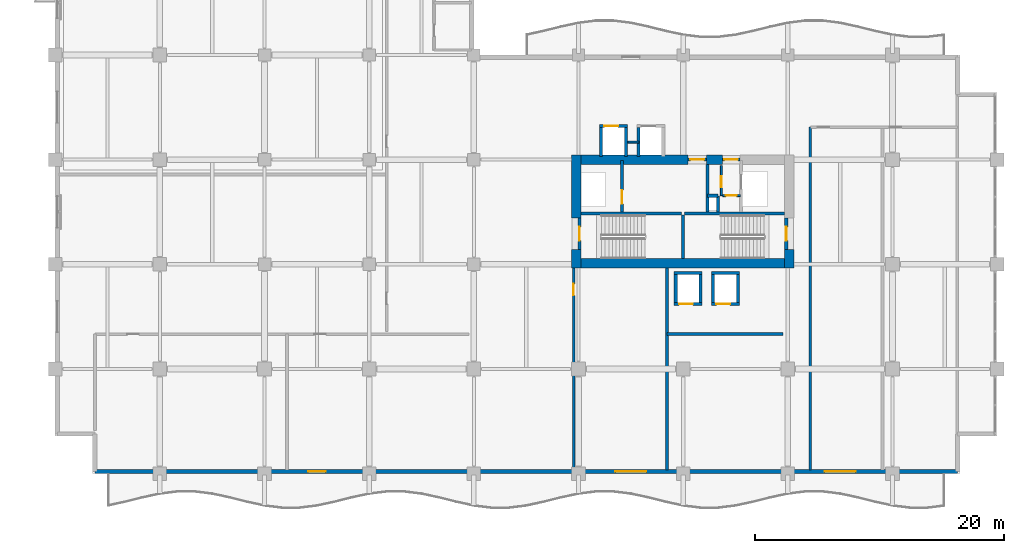
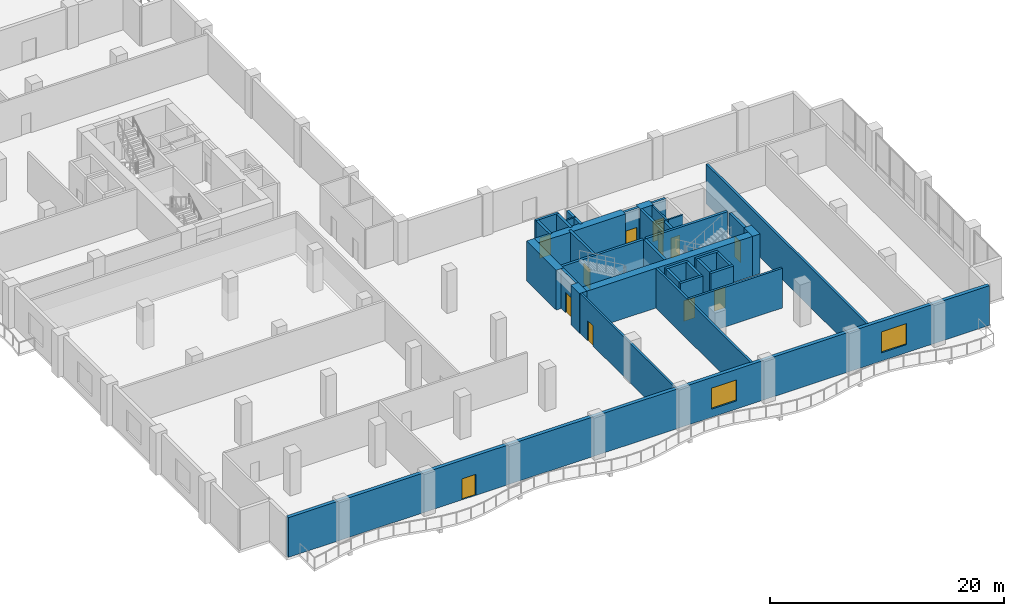
# One storey, part 10 of 22: 37 walls, 12 doors, 2 windows, 14 openings.
"""IFC4 building model written with IfcOpenShell, lengths in metres."""

from ifc_helpers import new_model, si_unit, direction, frame, frame_2d, origin, place, context, subcontext, project, spatial, rectangle, extrude, material, layer, layer_set, type_object, element, fill, save


model = new_model("IFC4")

# Units and contexts
model_context = context("Model", 3, precision=1e-05, world=origin(), true_north=direction((0.0, 1.0)))
body_context = subcontext(model_context, "Body", "Model", "MODEL_VIEW")
ifc_project = project(units=[si_unit("LENGTHUNIT", "METRE"), si_unit("AREAUNIT", "SQUARE_METRE"), si_unit("VOLUMEUNIT", "CUBIC_METRE"), si_unit("PLANEANGLEUNIT", "RADIAN"), si_unit("MASSUNIT", "GRAM", prefix="KILO")], contexts=[model_context])

# Site, building, storey
site_placement = place(None, origin())
site = spatial("IfcSite", under=ifc_project, at=site_placement, CompositionType="ELEMENT")
building_placement = place(site_placement, origin())
building = spatial("IfcBuilding", under=site, at=building_placement, Name="Koriwani Terraces Tower", CompositionType="ELEMENT")
storey_placement = place(building_placement, frame((0.0, 0.0, 153.199951171875)))
storey = spatial("IfcBuildingStorey", under=building, at=storey_placement, Name="L37", CompositionType="ELEMENT", Elevation=153.199951171875)

# Walls
ifc_material_1 = material(Name="Concrete C60/75", Category="concrete")
ifc_layer_1 = layer(ifc_material_1, 0.75, Name="Concrete C60/75")
ifc_layer_set_1 = layer_set([ifc_layer_1], Name="Concrete C60/75")
wall_type_1 = type_object("IfcWallType", Name="WALL_CORE_RC_750", PredefinedType="SHEAR", material=ifc_layer_set_1)
wall_1_placement = place(storey_placement, frame((41.824951171875, 16.5, 0.0), z_axis=(0.0, 0.0, 1.0), x_axis=(0.0, 1.0, 0.0)))
element("IfcWall", 1, at=wall_1_placement, inside=storey, type_object=wall_type_1, Name="L37 East Split Core Shear Wall W1", PredefinedType="SHEAR", context=body_context, shape_type="SweptSolid", body=[
    extrude(rectangle(XDim=1.5, YDim=0.75, at=frame_2d((0.75, 0.0))), origin(), (0.0, 0.0, 1.0), 4.150146484375),
])
wall_2_placement = place(storey_placement, frame((41.824951171875, 20.5, 0.0), z_axis=(0.0, 0.0, 1.0), x_axis=(0.0, 1.0, 0.0)))
element("IfcWall", 2, at=wall_2_placement, inside=storey, type_object=wall_type_1, Name="L37 East Split Core Shear Wall W2", PredefinedType="SHEAR", context=body_context, shape_type="SweptSolid", body=[
    extrude(rectangle(XDim=5.074951171875, YDim=0.75, at=frame_2d((2.53759765625, 0.0))), origin(), (0.0, 0.0, 1.0), 4.150146484375),
])
wall_3_placement = place(storey_placement, frame((58.925048828125, 16.5, 0.0), z_axis=(0.0, 0.0, 1.0), x_axis=(0.0, 1.0, 0.0)))
element("IfcWall", 3, at=wall_3_placement, inside=storey, type_object=wall_type_1, Name="L37 East Split Core Shear Wall E1", PredefinedType="SHEAR", context=body_context, shape_type="SweptSolid", body=[
    extrude(rectangle(XDim=1.5, YDim=0.75, at=frame_2d((0.75, 0.0))), origin(), (0.0, 0.0, 1.0), 4.150146484375),
])
wall_4_placement = place(storey_placement, frame((42.199951171875, 16.875, 0.0), z_axis=(0.0, 0.0, 1.0), x_axis=(1.0, 0.0, 0.0)))
element("IfcWall", 4, at=wall_4_placement, inside=storey, type_object=wall_type_1, Name="L37 East Split Core Shear Wall S1", PredefinedType="SHEAR", context=body_context, shape_type="SweptSolid", body=[
    extrude(rectangle(XDim=16.35009765625, YDim=0.75, at=frame_2d((8.175048828125, 0.0))), origin(), (0.0, 0.0, 1.0), 4.150146484375),
])
wall_5_placement = place(storey_placement, frame((42.199951171875, 25.199951171875, 0.0), z_axis=(0.0, 0.0, 1.0), x_axis=(1.0, 0.0, 0.0)))
element("IfcWall", 5, at=wall_5_placement, inside=storey, type_object=wall_type_1, Name="L37 East Split Core Shear Wall N1", PredefinedType="SHEAR", context=body_context, shape_type="SweptSolid", body=[
    extrude(rectangle(XDim=8.60009765625, YDim=0.75, at=frame_2d((4.300048828125, 0.0))), origin(), (0.0, 0.0, 1.0), 4.150146484375),
])
wall_6_placement = place(storey_placement, frame((52.280029296875, 25.199951171875, 0.0), z_axis=(0.0, 0.0, 1.0), x_axis=(1.0, 0.0, 0.0)))
element("IfcWall", 6, at=wall_6_placement, inside=storey, type_object=wall_type_1, Name="L37 East Split Core Shear Wall N2", PredefinedType="SHEAR", context=body_context, shape_type="SweptSolid", body=[
    extrude(rectangle(XDim=1.27001953125, YDim=0.75, at=frame_2d((0.635009765625, 0.0))), origin(), (0.0, 0.0, 1.0), 4.150146484375),
])

# Wall, opening, door
ifc_material_2 = material(Name="Autoclaved Cellular Concrete Blockwork", Category="masonry")
ifc_layer_2 = layer(ifc_material_2, 0.199951171875, Name="Autoclaved Cellular Concrete Blockwork")
ifc_layer_set_2 = layer_set([ifc_layer_2], Name="Autoclaved Cellular Concrete Blockwork")
wall_type_2 = type_object("IfcWallType", Name="WALL_CORRIDOR_200", PredefinedType="PARTITIONING", material=ifc_layer_set_2)
wall_7_placement = place(storey_placement, frame((41.60009765625, 0.300048828125, 0.0), z_axis=(0.0, 0.0, 1.0), x_axis=(0.0, 1.0, 0.0)))
wall_7 = element("IfcWall", 7, at=wall_7_placement, inside=storey, type_object=wall_type_2, Name="L37 Interior Wall WSKY-RECE1-L37", PredefinedType="PARTITIONING", context=body_context, shape_type="SweptSolid", body=[
    extrude(rectangle(XDim=16.199951171875, YDim=0.199951171875, at=frame_2d((8.10009765625, 0.0))), origin(), (0.0, 0.0, 1.0), 4.150146484375),
])
opening_1_placement = place(wall_7_placement, frame((14.0, 0.0, 0.0)))
opening_1 = element("IfcOpeningElement", 8, at=opening_1_placement, cuts=wall_7, Name="Opening D-06", PredefinedType="OPENING", context=body_context, shape_type="SweptSolid", body=[
    extrude(rectangle(XDim=0.919921875, YDim=2.10009765625, at=frame_2d((0.4599609375, 1.050048828125))), frame((0.0, 0.10986328125, 0.0), z_axis=(0.0, -1.0, 0.0), x_axis=(1.0, 0.0, 0.0)), (0.0, 0.0, 1.0), 0.219970703125),
])
ifc_material_3 = material(Name="Architectural Oak Fire Door", Category="wood")
door_type_1 = type_object("IfcDoorType", Name="DOOR_ROOM_INT_920X2100", OperationType="NOTDEFINED", PredefinedType="DOOR", material=ifc_material_3)
door_1_placement = place(opening_1_placement, origin())
door_1 = element("IfcDoor", 9, at=door_1_placement, inside=storey, type_object=door_type_1, Name="L37 VIP Tasting Salon Door", OperationType="SINGLE_SWING_RIGHT", OverallHeight=2.10009765625, OverallWidth=0.919921875, PredefinedType="DOOR", context=body_context, shape_type="SweptSolid", body=[
    extrude(rectangle(XDim=0.919921875, YDim=2.10009765625, at=frame_2d((0.4599609375, 1.050048828125))), frame((0.0, 0.02490234375, 0.0), z_axis=(0.0, -1.0, 0.0), x_axis=(1.0, 0.0, 0.0)), (0.0, 0.0, 1.0), 0.050048828125),
])
fill(opening_1, door_1)

# Walls
ifc_layer_3 = layer(ifc_material_2, 0.219970703125, Name="Autoclaved Cellular Concrete Blockwork")
ifc_layer_set_3 = layer_set([ifc_layer_3], Name="Autoclaved Cellular Concrete Blockwork")
wall_type_3 = type_object("IfcWallType", Name="WALL_DEMISING_220", PredefinedType="PARTITIONING", material=ifc_layer_set_3)
wall_8_placement = place(storey_placement, frame((49.10009765625, 0.300048828125, 0.0), z_axis=(0.0, 0.0, 1.0), x_axis=(0.0, 1.0, 0.0)))
element("IfcWall", 10, at=wall_8_placement, inside=storey, type_object=wall_type_3, Name="L37 Interior Wall WSKY-RECE2-L37", PredefinedType="PARTITIONING", context=body_context, shape_type="SweptSolid", body=[
    extrude(rectangle(XDim=16.199951171875, YDim=0.219970703125, at=frame_2d((8.10009765625, 0.0))), origin(), (0.0, 0.0, 1.0), 4.150146484375),
])
wall_9_placement = place(storey_placement, frame((49.10009765625, 11.199951171875, 0.0), z_axis=(0.0, 0.0, 1.0), x_axis=(1.0, 0.0, 0.0)))
element("IfcWall", 11, at=wall_9_placement, inside=storey, type_object=wall_type_3, Name="L37 Interior Wall WSKY-RECE3-L37", PredefinedType="PARTITIONING", context=body_context, shape_type="SweptSolid", body=[
    extrude(rectangle(XDim=9.2998046875, YDim=0.219970703125, at=frame_2d((4.64990234375, 0.0))), origin(), (0.0, 0.0, 1.0), 4.150146484375),
])
wall_10_placement = place(storey_placement, frame((60.60009765625, 0.300048828125, 0.0), z_axis=(0.0, 0.0, 1.0), x_axis=(0.0, 1.0, 0.0)))
element("IfcWall", 12, at=wall_10_placement, inside=storey, type_object=wall_type_3, Name="L37 Interior Wall WSKY-EW-L37", PredefinedType="PARTITIONING", context=body_context, shape_type="SweptSolid", body=[
    extrude(rectangle(XDim=27.5, YDim=0.219970703125, at=frame_2d((13.75, 0.0))), origin(), (0.0, 0.0, 1.0), 4.150146484375),
])

# Wall, openings, door, windows
ifc_material_4 = material(Name="Concrete C50/60", Category="concrete")
ifc_layer_4 = layer(ifc_material_4, 0.35009765625, Name="Concrete C50/60")
ifc_layer_set_4 = layer_set([ifc_layer_4], Name="Concrete C50/60")
wall_type_4 = type_object("IfcWallType", Name="WALL_EXT_BRUTALIST_350", PredefinedType="STANDARD", material=ifc_layer_set_4)
wall_11_placement = place(storey_placement, frame((72.425048828125, 0.175048828125, 0.0), z_axis=(0.0, 0.0, 1.0), x_axis=(-1.0, 0.0, 0.0)))
wall_11 = element("IfcWall", 13, at=wall_11_placement, inside=storey, type_object=wall_type_4, Name="L37 Fair-Faced Brutalist Exterior Wall (S)", PredefinedType="STANDARD", context=body_context, shape_type="SweptSolid", body=[
    extrude(rectangle(XDim=69.25, YDim=0.35009765625, at=frame_2d((34.625, 0.0))), origin(), (0.0, 0.0, 1.0), 4.150146484375),
])
opening_2_placement = place(wall_11_placement, frame((50.72509765625, 0.0, 0.0)))
opening_2 = element("IfcOpeningElement", 14, at=opening_2_placement, cuts=wall_11, Name="Opening D-09", PredefinedType="OPENING", context=body_context, shape_type="SweptSolid", body=[
    extrude(rectangle(XDim=1.39990234375, YDim=2.199951171875, at=frame_2d((0.699951171875, 1.10009765625))), frame((0.0, 0.18505859375, 0.0), z_axis=(0.0, -1.0, 0.0), x_axis=(1.0, 0.0, 0.0)), (0.0, 0.0, 1.0), 0.3701171875),
])
opening_3_placement = place(wall_11_placement, frame((24.97509765625, 0.0, 0.85009765625)))
opening_3 = element("IfcOpeningElement", 15, at=opening_3_placement, cuts=wall_11, Name="Opening W-07", PredefinedType="OPENING", context=body_context, shape_type="SweptSolid", body=[
    extrude(rectangle(XDim=2.5, YDim=2.199951171875, at=frame_2d((1.25, 1.10009765625))), frame((0.0, 0.18505859375, 0.0), z_axis=(0.0, -1.0, 0.0), x_axis=(1.0, 0.0, 0.0)), (0.0, 0.0, 1.0), 0.3701171875),
])
opening_4_placement = place(wall_11_placement, frame((8.175048828125, 0.0, 0.85009765625)))
opening_4 = element("IfcOpeningElement", 16, at=opening_4_placement, cuts=wall_11, Name="Opening W-07", PredefinedType="OPENING", context=body_context, shape_type="SweptSolid", body=[
    extrude(rectangle(XDim=2.5, YDim=2.199951171875, at=frame_2d((1.25, 1.10009765625))), frame((0.0, 0.18505859375, 0.0), z_axis=(0.0, -1.0, 0.0), x_axis=(1.0, 0.0, 0.0)), (0.0, 0.0, 1.0), 0.3701171875),
])
ifc_material_5 = material(Name="Anodised Bronze Aluminium", Category="aluminium")
door_type_2 = type_object("IfcDoorType", Name="DOOR_BALCONY_GLAZED_1400X2200", OperationType="NOTDEFINED", PredefinedType="DOOR", material=ifc_material_5)
door_2_placement = place(opening_2_placement, origin())
door_2 = element("IfcDoor", 17, at=door_2_placement, inside=storey, type_object=door_type_2, Name="L37 South Balcony Glazed Door", OperationType="SINGLE_SWING_LEFT", OverallHeight=2.199951171875, OverallWidth=1.39990234375, PredefinedType="DOOR", context=body_context, shape_type="SweptSolid", body=[
    extrude(rectangle(XDim=1.39990234375, YDim=2.199951171875, at=frame_2d((0.699951171875, 1.10009765625))), frame((0.0, 0.02490234375, 0.0), z_axis=(0.0, -1.0, 0.0), x_axis=(1.0, 0.0, 0.0)), (0.0, 0.0, 1.0), 0.050048828125),
])
fill(opening_2, door_2)
ifc_material_6 = material(Name="Tempered Laminated Low-E Glass", Category="glass")
window_type = type_object("IfcWindowType", Name="WIN_SKY_LOUNGE_2500X2200", PartitioningType="SINGLE_PANEL", PredefinedType="WINDOW", material=ifc_material_6)
window_1_placement = place(opening_3_placement, origin())
window_1 = element("IfcWindow", 18, at=window_1_placement, inside=storey, type_object=window_type, Name="L37 Exterior Window (S-15)", OverallHeight=2.199951171875, OverallWidth=2.5, PartitioningType="SINGLE_PANEL", PredefinedType="WINDOW", context=body_context, shape_type="SweptSolid", body=[
    extrude(rectangle(XDim=2.5, YDim=2.199951171875, at=frame_2d((1.25, 1.10009765625))), frame((0.0, 0.030029296875, 0.0), z_axis=(0.0, -1.0, 0.0), x_axis=(1.0, 0.0, 0.0)), (0.0, 0.0, 1.0), 0.06005859375),
])
fill(opening_3, window_1)
window_2_placement = place(opening_4_placement, origin())
window_2 = element("IfcWindow", 19, at=window_2_placement, inside=storey, type_object=window_type, Name="L37 Exterior Window (S-21)", OverallHeight=2.199951171875, OverallWidth=2.5, PartitioningType="SINGLE_PANEL", PredefinedType="WINDOW", context=body_context, shape_type="SweptSolid", body=[
    extrude(rectangle(XDim=2.5, YDim=2.199951171875, at=frame_2d((1.25, 1.10009765625))), frame((0.0, 0.030029296875, 0.0), z_axis=(0.0, -1.0, 0.0), x_axis=(1.0, 0.0, 0.0)), (0.0, 0.0, 1.0), 0.06005859375),
])
fill(opening_4, window_2)

# Walls
ifc_material_7 = material(Name="Concrete C40/50", Category="concrete")
ifc_layer_5 = layer(ifc_material_7, 0.25, Name="Concrete C40/50")
ifc_layer_set_5 = layer_set([ifc_layer_5], Name="Concrete C40/50")
wall_type_5 = type_object("IfcWallType", Name="WALL_SHAFT_RATED_250", PredefinedType="SOLIDWALL", material=ifc_layer_set_5)
for number, where, z_axis, x_axis, name in (
    (20, (42.199951171875, 20.875, 0.0), (0.0, 0.0, 1.0), (1.0, 0.0, 0.0), "L37 East Split Core Web Wall MID1"),
    (21, (50.5, 20.875, 0.0), (0.0, 0.0, 1.0), (1.0, 0.0, 0.0), "L37 East Split Core Web Wall MID2"),
):
    element("IfcWall", number, at=place(storey_placement, frame(where, z_axis=z_axis, x_axis=x_axis)), inside=storey, type_object=wall_type_5, Name=name, PredefinedType="SOLIDWALL", context=body_context, shape_type="SweptSolid", body=[
        extrude(rectangle(XDim=8.050048828125, YDim=0.25, at=frame_2d((4.02490234375, 0.0))), origin(), (0.0, 0.0, 1.0), 4.150146484375),
    ])
wall_12_placement = place(storey_placement, frame((50.375, 17.25, 0.0), z_axis=(0.0, 0.0, 1.0), x_axis=(0.0, 1.0, 0.0)))
element("IfcWall", 22, at=wall_12_placement, inside=storey, type_object=wall_type_5, Name="L37 East Split Core Stair Dividing Wall", PredefinedType="SOLIDWALL", context=body_context, shape_type="SweptSolid", body=[
    extrude(rectangle(XDim=3.5, YDim=0.25, at=frame_2d((1.75, 0.0))), origin(), (0.0, 0.0, 1.0), 4.150146484375),
])

# Wall, opening, door
wall_13_placement = place(storey_placement, frame((42.074951171875, 18.0, 0.0), z_axis=(0.0, 0.0, 1.0), x_axis=(0.0, 1.0, 0.0)))
wall_13 = element("IfcWall", 23, at=wall_13_placement, inside=storey, type_object=wall_type_5, Name="L37 Interior Wall WIN-CE-L37-STW", PredefinedType="SOLIDWALL", context=body_context, shape_type="SweptSolid", body=[
    extrude(rectangle(XDim=2.5, YDim=0.25, at=frame_2d((1.25, 0.0))), origin(), (0.0, 0.0, 1.0), 4.150146484375),
])
opening_5_placement = place(wall_13_placement, frame((0.699951171875, 0.0, 0.0)))
opening_5 = element("IfcOpeningElement", 24, at=opening_5_placement, cuts=wall_13, Name="Opening D-03", PredefinedType="OPENING", context=body_context, shape_type="SweptSolid", body=[
    extrude(rectangle(XDim=1.10009765625, YDim=2.14990234375, at=frame_2d((0.550048828125, 1.074951171875))), frame((0.0, 0.135009765625, 0.0), z_axis=(0.0, -1.0, 0.0), x_axis=(1.0, 0.0, 0.0)), (0.0, 0.0, 1.0), 0.27001953125),
])
ifc_material_8 = material(Name="Steel ASTM A572 Grade 50", Category="steel")
door_type_3 = type_object("IfcDoorType", Name="DOOR_STAIR_FIRE_1100X2150", OperationType="NOTDEFINED", PredefinedType="DOOR", material=ifc_material_8)
door_3_placement = place(opening_5_placement, origin())
door_3 = element("IfcDoor", 25, at=door_3_placement, inside=storey, type_object=door_type_3, Name="L37 Exit Stair ST-E1 Door", OperationType="SINGLE_SWING_LEFT", OverallHeight=2.14990234375, OverallWidth=1.10009765625, PredefinedType="DOOR", context=body_context, shape_type="SweptSolid", body=[
    extrude(rectangle(XDim=1.10009765625, YDim=2.14990234375, at=frame_2d((0.550048828125, 1.074951171875))), frame((0.0, 0.02490234375, 0.0), z_axis=(0.0, -1.0, 0.0), x_axis=(1.0, 0.0, 0.0)), (0.0, 0.0, 1.0), 0.050048828125),
])
fill(opening_5, door_3)

wall_14_placement = place(storey_placement, frame((58.675048828125, 18.0, 0.0), z_axis=(0.0, 0.0, 1.0), x_axis=(0.0, 1.0, 0.0)))
wall_14 = element("IfcWall", 26, at=wall_14_placement, inside=storey, type_object=wall_type_5, Name="L37 Interior Wall WIN-CE-L37-STE", PredefinedType="SOLIDWALL", context=body_context, shape_type="SweptSolid", body=[
    extrude(rectangle(XDim=2.5, YDim=0.25, at=frame_2d((1.25, 0.0))), origin(), (0.0, 0.0, 1.0), 4.150146484375),
])
opening_6_placement = place(wall_14_placement, frame((0.699951171875, 0.0, 0.0)))
opening_6 = element("IfcOpeningElement", 27, at=opening_6_placement, cuts=wall_14, Name="Opening D-03", PredefinedType="OPENING", context=body_context, shape_type="SweptSolid", body=[
    extrude(rectangle(XDim=1.10009765625, YDim=2.14990234375, at=frame_2d((0.550048828125, 1.074951171875))), frame((0.0, 0.135009765625, 0.0), z_axis=(0.0, -1.0, 0.0), x_axis=(1.0, 0.0, 0.0)), (0.0, 0.0, 1.0), 0.27001953125),
])
door_4_placement = place(opening_6_placement, origin())
door_4 = element("IfcDoor", 28, at=door_4_placement, inside=storey, type_object=door_type_3, Name="L37 Exit Stair ST-E2 Door", OperationType="SINGLE_SWING_RIGHT", OverallHeight=2.14990234375, OverallWidth=1.10009765625, PredefinedType="DOOR", context=body_context, shape_type="SweptSolid", body=[
    extrude(rectangle(XDim=1.10009765625, YDim=2.14990234375, at=frame_2d((0.550048828125, 1.074951171875))), frame((0.0, 0.02490234375, 0.0), z_axis=(0.0, -1.0, 0.0), x_axis=(1.0, 0.0, 0.0)), (0.0, 0.0, 1.0), 0.050048828125),
])
fill(opening_6, door_4)

wall_15_placement = place(storey_placement, frame((45.5, 21.0, 0.0), z_axis=(0.0, 0.0, 1.0), x_axis=(0.0, 1.0, 0.0)))
wall_15 = element("IfcWall", 29, at=wall_15_placement, inside=storey, type_object=wall_type_5, Name="L37 Interior Wall WIN-CE-L37-FE", PredefinedType="SOLIDWALL", context=body_context, shape_type="SweptSolid", body=[
    extrude(rectangle(XDim=4.14990234375, YDim=0.25, at=frame_2d((2.074951171875, 0.0))), origin(), (0.0, 0.0, 1.0), 4.150146484375),
])
opening_7_placement = place(wall_15_placement, frame((0.64990234375, 0.0, 0.0)))
opening_7 = element("IfcOpeningElement", 30, at=opening_7_placement, cuts=wall_15, Name="Opening LD-01", PredefinedType="OPENING", context=body_context, shape_type="SweptSolid", body=[
    extrude(rectangle(XDim=1.10009765625, YDim=2.14990234375, at=frame_2d((0.550048828125, 1.074951171875))), frame((0.0, 0.135009765625, 0.0), z_axis=(0.0, -1.0, 0.0), x_axis=(1.0, 0.0, 0.0)), (0.0, 0.0, 1.0), 0.27001953125),
])
door_type_4 = type_object("IfcDoorType", Name="DOOR_LIFT_LANDING_1100X2200", OperationType="NOTDEFINED", PredefinedType="DOOR", material=ifc_material_8)
door_5_placement = place(opening_7_placement, origin())
door_5 = element("IfcDoor", 31, at=door_5_placement, inside=storey, type_object=door_type_4, Name="L37 Firefighting Lift FE-02 Landing Door", OperationType="SLIDING_TO_LEFT", OverallHeight=2.14990234375, OverallWidth=1.10009765625, PredefinedType="DOOR", context=body_context, shape_type="SweptSolid", body=[
    extrude(rectangle(XDim=1.10009765625, YDim=2.14990234375, at=frame_2d((0.550048828125, 1.074951171875))), frame((0.0, 0.02490234375, 0.0), z_axis=(0.0, -1.0, 0.0), x_axis=(1.0, 0.0, 0.0)), (0.0, 0.0, 1.0), 0.050048828125),
])
fill(opening_7, door_5)

wall_16_placement = place(storey_placement, frame((50.800048828125, 25.199951171875, 0.0), z_axis=(0.0, 0.0, 1.0), x_axis=(1.0, 0.0, 0.0)))
wall_16 = element("IfcWall", 32, at=wall_16_placement, inside=storey, type_object=wall_type_5, Name="L37 Interior Wall WIN-CE-L37-NP", PredefinedType="SOLIDWALL", context=body_context, shape_type="SweptSolid", body=[
    extrude(rectangle(XDim=1.47998046875, YDim=0.25, at=frame_2d((0.739990234375, 0.0))), origin(), (0.0, 0.0, 1.0), 4.150146484375),
])
opening_8_placement = place(wall_16_placement, frame((0.179931640625, 0.0, 0.0)))
opening_8 = element("IfcOpeningElement", 33, at=opening_8_placement, cuts=wall_16, Name="Opening D-03", PredefinedType="OPENING", context=body_context, shape_type="SweptSolid", body=[
    extrude(rectangle(XDim=1.10009765625, YDim=2.14990234375, at=frame_2d((0.550048828125, 1.074951171875))), frame((0.0, 0.135009765625, 0.0), z_axis=(0.0, -1.0, 0.0), x_axis=(1.0, 0.0, 0.0)), (0.0, 0.0, 1.0), 0.27001953125),
])
door_6_placement = place(opening_8_placement, origin())
door_6 = element("IfcDoor", 34, at=door_6_placement, inside=storey, type_object=door_type_3, Name="L37 East Firefighting Lobby Door", OperationType="SINGLE_SWING_LEFT", OverallHeight=2.14990234375, OverallWidth=1.10009765625, PredefinedType="DOOR", context=body_context, shape_type="SweptSolid", body=[
    extrude(rectangle(XDim=1.10009765625, YDim=2.14990234375, at=frame_2d((0.550048828125, 1.074951171875))), frame((0.0, 0.02490234375, 0.0), z_axis=(0.0, -1.0, 0.0), x_axis=(1.0, 0.0, 0.0)), (0.0, 0.0, 1.0), 0.050048828125),
])
fill(opening_8, door_6)

# Wall
wall_17_placement = place(storey_placement, frame((52.340087890625, 21.0, 0.0), z_axis=(0.0, 0.0, 1.0), x_axis=(0.0, 1.0, 0.0)))
element("IfcWall", 35, at=wall_17_placement, inside=storey, type_object=wall_type_5, Name="L37 Interior Wall WIN-CE-L37-FFE", PredefinedType="SOLIDWALL", context=body_context, shape_type="SweptSolid", body=[
    extrude(rectangle(XDim=3.824951171875, YDim=0.25, at=frame_2d((1.91259765625, 0.0))), origin(), (0.0, 0.0, 1.0), 4.150146484375),
])

# Wall, opening, door
wall_18_placement = place(storey_placement, frame((53.550048828125, 25.199951171875, 0.0), z_axis=(0.0, 0.0, 1.0), x_axis=(1.0, 0.0, 0.0)))
wall_18 = element("IfcWall", 36, at=wall_18_placement, inside=storey, type_object=wall_type_5, Name="L37 Interior Wall WIN-CE-L37-NP2", PredefinedType="SOLIDWALL", context=body_context, shape_type="SweptSolid", body=[
    extrude(rectangle(XDim=1.39990234375, YDim=0.25, at=frame_2d((0.699951171875, 0.0))), origin(), (0.0, 0.0, 1.0), 4.150146484375),
])
opening_9_placement = place(wall_18_placement, frame((0.14990234375, 0.0, 0.0)))
opening_9 = element("IfcOpeningElement", 37, at=opening_9_placement, cuts=wall_18, Name="Opening D-03", PredefinedType="OPENING", context=body_context, shape_type="SweptSolid", body=[
    extrude(rectangle(XDim=1.10009765625, YDim=2.14990234375, at=frame_2d((0.550048828125, 1.074951171875))), frame((0.0, 0.135009765625, 0.0), z_axis=(0.0, -1.0, 0.0), x_axis=(1.0, 0.0, 0.0)), (0.0, 0.0, 1.0), 0.27001953125),
])
door_7_placement = place(opening_9_placement, origin())
door_7 = element("IfcDoor", 38, at=door_7_placement, inside=storey, type_object=door_type_3, Name="L37 East Goods Lift Lobby Door", OperationType="SINGLE_SWING_RIGHT", OverallHeight=2.14990234375, OverallWidth=1.10009765625, PredefinedType="DOOR", context=body_context, shape_type="SweptSolid", body=[
    extrude(rectangle(XDim=1.10009765625, YDim=2.14990234375, at=frame_2d((0.550048828125, 1.074951171875))), frame((0.0, 0.02490234375, 0.0), z_axis=(0.0, -1.0, 0.0), x_axis=(1.0, 0.0, 0.0)), (0.0, 0.0, 1.0), 0.050048828125),
])
fill(opening_9, door_7)

# Walls
wall_19_placement = place(storey_placement, frame((53.199951171875, 21.0, 0.0), z_axis=(0.0, 0.0, 1.0), x_axis=(0.0, 1.0, 0.0)))
element("IfcWall", 39, at=wall_19_placement, inside=storey, type_object=wall_type_5, Name="L37 Interior Wall WIN-CE-L37-RS1", PredefinedType="SOLIDWALL", context=body_context, shape_type="SweptSolid", body=[
    extrude(rectangle(XDim=1.300048828125, YDim=0.25, at=frame_2d((0.64990234375, 0.0))), origin(), (0.0, 0.0, 1.0), 4.150146484375),
])
wall_20_placement = place(storey_placement, frame((52.360107421875, 22.300048828125, 0.0), z_axis=(0.0, 0.0, 1.0), x_axis=(1.0, 0.0, 0.0)))
element("IfcWall", 40, at=wall_20_placement, inside=storey, type_object=wall_type_5, Name="L37 Interior Wall WIN-CE-L37-RS2", PredefinedType="SOLIDWALL", context=body_context, shape_type="SweptSolid", body=[
    extrude(rectangle(XDim=0.83984375, YDim=0.25, at=frame_2d((0.419921875, 0.0))), origin(), (0.0, 0.0, 1.0), 4.150146484375),
])

# Wall, opening, door
wall_21_placement = place(storey_placement, frame((49.675048828125, 13.60009765625, 0.0), z_axis=(0.0, 0.0, 1.0), x_axis=(1.0, 0.0, 0.0)))
wall_21 = element("IfcWall", 41, at=wall_21_placement, inside=storey, type_object=wall_type_5, Name="L37 Interior Wall WIN-LF-PE-M3-L37-F", PredefinedType="SOLIDWALL", context=body_context, shape_type="SweptSolid", body=[
    extrude(rectangle(XDim=2.25, YDim=0.25, at=frame_2d((1.125, 0.0))), origin(), (0.0, 0.0, 1.0), 4.150146484375),
])
opening_10_placement = place(wall_21_placement, frame((0.39990234375, 0.0, 0.0)))
opening_10 = element("IfcOpeningElement", 42, at=opening_10_placement, cuts=wall_21, Name="Opening LD-01", PredefinedType="OPENING", context=body_context, shape_type="SweptSolid", body=[
    extrude(rectangle(XDim=1.10009765625, YDim=2.14990234375, at=frame_2d((0.550048828125, 1.074951171875))), frame((0.0, 0.135009765625, 0.0), z_axis=(0.0, -1.0, 0.0), x_axis=(1.0, 0.0, 0.0)), (0.0, 0.0, 1.0), 0.27001953125),
])
door_8_placement = place(opening_10_placement, origin())
door_8 = element("IfcDoor", 43, at=door_8_placement, inside=storey, type_object=door_type_4, Name="L37 Passenger Lift PE-M3 Landing Door", OperationType="SLIDING_TO_LEFT", OverallHeight=2.14990234375, OverallWidth=1.10009765625, PredefinedType="DOOR", context=body_context, shape_type="SweptSolid", body=[
    extrude(rectangle(XDim=1.10009765625, YDim=2.14990234375, at=frame_2d((0.550048828125, 1.074951171875))), frame((0.0, 0.02490234375, 0.0), z_axis=(0.0, -1.0, 0.0), x_axis=(1.0, 0.0, 0.0)), (0.0, 0.0, 1.0), 0.050048828125),
])
fill(opening_10, door_8)

# Walls
for number, where, z_axis, x_axis, name in (
    (44, (49.675048828125, 16.10009765625, 0.0), (0.0, 0.0, 1.0), (1.0, 0.0, 0.0), "L37 Interior Wall WIN-LF-PE-M3-L37-B"),
    (45, (49.800048828125, 13.72509765625, 0.0), (0.0, 0.0, 1.0), (0.0, 1.0, 0.0), "L37 Interior Wall WIN-LF-PE-M3-L37-W"),
    (46, (51.800048828125, 13.72509765625, 0.0), (0.0, 0.0, 1.0), (0.0, 1.0, 0.0), "L37 Interior Wall WIN-LF-PE-M3-L37-E"),
):
    element("IfcWall", number, at=place(storey_placement, frame(where, z_axis=z_axis, x_axis=x_axis)), inside=storey, type_object=wall_type_5, Name=name, PredefinedType="SOLIDWALL", context=body_context, shape_type="SweptSolid", body=[
        extrude(rectangle(XDim=2.25, YDim=0.25, at=frame_2d((1.125, 0.0))), origin(), (0.0, 0.0, 1.0), 4.150146484375),
    ])

# Wall, opening, door
wall_22_placement = place(storey_placement, frame((52.675048828125, 13.60009765625, 0.0), z_axis=(0.0, 0.0, 1.0), x_axis=(1.0, 0.0, 0.0)))
wall_22 = element("IfcWall", 47, at=wall_22_placement, inside=storey, type_object=wall_type_5, Name="L37 Interior Wall WIN-LF-PE-M4-L37-F", PredefinedType="SOLIDWALL", context=body_context, shape_type="SweptSolid", body=[
    extrude(rectangle(XDim=2.25, YDim=0.25, at=frame_2d((1.125, 0.0))), origin(), (0.0, 0.0, 1.0), 4.150146484375),
])
opening_11_placement = place(wall_22_placement, frame((0.39990234375, 0.0, 0.0)))
opening_11 = element("IfcOpeningElement", 48, at=opening_11_placement, cuts=wall_22, Name="Opening LD-01", PredefinedType="OPENING", context=body_context, shape_type="SweptSolid", body=[
    extrude(rectangle(XDim=1.10009765625, YDim=2.14990234375, at=frame_2d((0.550048828125, 1.074951171875))), frame((0.0, 0.135009765625, 0.0), z_axis=(0.0, -1.0, 0.0), x_axis=(1.0, 0.0, 0.0)), (0.0, 0.0, 1.0), 0.27001953125),
])
door_9_placement = place(opening_11_placement, origin())
door_9 = element("IfcDoor", 49, at=door_9_placement, inside=storey, type_object=door_type_4, Name="L37 Passenger Lift PE-M4 Landing Door", OperationType="SLIDING_TO_LEFT", OverallHeight=2.14990234375, OverallWidth=1.10009765625, PredefinedType="DOOR", context=body_context, shape_type="SweptSolid", body=[
    extrude(rectangle(XDim=1.10009765625, YDim=2.14990234375, at=frame_2d((0.550048828125, 1.074951171875))), frame((0.0, 0.02490234375, 0.0), z_axis=(0.0, -1.0, 0.0), x_axis=(1.0, 0.0, 0.0)), (0.0, 0.0, 1.0), 0.050048828125),
])
fill(opening_11, door_9)

# Walls
for number, where, z_axis, x_axis, name in (
    (50, (52.675048828125, 16.10009765625, 0.0), (0.0, 0.0, 1.0), (1.0, 0.0, 0.0), "L37 Interior Wall WIN-LF-PE-M4-L37-B"),
    (51, (52.800048828125, 13.72509765625, 0.0), (0.0, 0.0, 1.0), (0.0, 1.0, 0.0), "L37 Interior Wall WIN-LF-PE-M4-L37-W"),
    (52, (54.800048828125, 13.72509765625, 0.0), (0.0, 0.0, 1.0), (0.0, 1.0, 0.0), "L37 Interior Wall WIN-LF-PE-M4-L37-E"),
):
    element("IfcWall", number, at=place(storey_placement, frame(where, z_axis=z_axis, x_axis=x_axis)), inside=storey, type_object=wall_type_5, Name=name, PredefinedType="SOLIDWALL", context=body_context, shape_type="SweptSolid", body=[
        extrude(rectangle(XDim=2.25, YDim=0.25, at=frame_2d((1.125, 0.0))), origin(), (0.0, 0.0, 1.0), 4.150146484375),
    ])

# Wall, opening, door
wall_23_placement = place(storey_placement, frame((43.675048828125, 27.89990234375, 0.0), z_axis=(0.0, 0.0, 1.0), x_axis=(1.0, 0.0, 0.0)))
wall_23 = element("IfcWall", 53, at=wall_23_placement, inside=storey, type_object=wall_type_5, Name="L37 Interior Wall WIN-LF-PE-H3-L37-F", PredefinedType="SOLIDWALL", context=body_context, shape_type="SweptSolid", body=[
    extrude(rectangle(XDim=2.25, YDim=0.25, at=frame_2d((1.125, 0.0))), origin(), (0.0, 0.0, 1.0), 4.150146484375),
])
opening_12_placement = place(wall_23_placement, frame((0.39990234375, 0.0, 0.0)))
opening_12 = element("IfcOpeningElement", 54, at=opening_12_placement, cuts=wall_23, Name="Opening LD-01", PredefinedType="OPENING", context=body_context, shape_type="SweptSolid", body=[
    extrude(rectangle(XDim=1.10009765625, YDim=2.14990234375, at=frame_2d((0.550048828125, 1.074951171875))), frame((0.0, 0.135009765625, 0.0), z_axis=(0.0, -1.0, 0.0), x_axis=(1.0, 0.0, 0.0)), (0.0, 0.0, 1.0), 0.27001953125),
])
door_10_placement = place(opening_12_placement, origin())
door_10 = element("IfcDoor", 55, at=door_10_placement, inside=storey, type_object=door_type_4, Name="L37 Passenger Lift PE-H3 Landing Door", OperationType="SLIDING_TO_LEFT", OverallHeight=2.14990234375, OverallWidth=1.10009765625, PredefinedType="DOOR", context=body_context, shape_type="SweptSolid", body=[
    extrude(rectangle(XDim=1.10009765625, YDim=2.14990234375, at=frame_2d((0.550048828125, 1.074951171875))), frame((0.0, 0.02490234375, 0.0), z_axis=(0.0, -1.0, 0.0), x_axis=(1.0, 0.0, 0.0)), (0.0, 0.0, 1.0), 0.050048828125),
])
fill(opening_12, door_10)

# Walls
for number, where, z_axis, x_axis, name in (
    (56, (43.800048828125, 25.449951171875, 0.0), (0.0, 0.0, 1.0), (0.0, 1.0, 0.0), "L37 Interior Wall WIN-LF-PE-H3-L37-W"),
    (57, (45.800048828125, 25.449951171875, 0.0), (0.0, 0.0, 1.0), (0.0, 1.0, 0.0), "L37 Interior Wall WIN-LF-PE-H3-L37-E"),
    (58, (46.800048828125, 25.449951171875, 0.0), (0.0, 0.0, 1.0), (0.0, 1.0, 0.0), "L37 Interior Wall WIN-LF-PE-H4-L37-W"),
):
    element("IfcWall", number, at=place(storey_placement, frame(where, z_axis=z_axis, x_axis=x_axis)), inside=storey, type_object=wall_type_5, Name=name, PredefinedType="SOLIDWALL", context=body_context, shape_type="SweptSolid", body=[
        extrude(rectangle(XDim=2.324951171875, YDim=0.25, at=frame_2d((1.16259765625, 0.0))), origin(), (0.0, 0.0, 1.0), 4.150146484375),
    ])

# Wall, opening, door
ifc_material_9 = material(Name="Fire-Rated Acoustic Gypsum Partition", Category="masonry")
ifc_layer_6 = layer(ifc_material_9, 0.159912109375, Name="Fire-Rated Acoustic Gypsum Partition")
ifc_layer_set_6 = layer_set([ifc_layer_6], Name="Fire-Rated Acoustic Gypsum Partition")
wall_type_6 = type_object("IfcWallType", Name="WALL_SUITE_160", PredefinedType="PARTITIONING", material=ifc_layer_set_6)
wall_24_placement = place(storey_placement, frame((53.56005859375, 22.320068359375, 0.0), z_axis=(0.0, 0.0, 1.0), x_axis=(1.0, 0.0, 0.0)))
wall_24 = element("IfcWall", 59, at=wall_24_placement, inside=storey, type_object=wall_type_6, Name="L37 Interior Wall WIN-CE-L37-SV1A", PredefinedType="PARTITIONING", context=body_context, shape_type="SweptSolid", body=[
    extrude(rectangle(XDim=1.43994140625, YDim=0.159912109375, at=frame_2d((0.719970703125, 0.0))), origin(), (0.0, 0.0, 1.0), 4.150146484375),
])
opening_13_placement = place(wall_24_placement, frame((0.260009765625, 0.0, 0.0)))
opening_13 = element("IfcOpeningElement", 60, at=opening_13_placement, cuts=wall_24, Name="Opening D-07", PredefinedType="OPENING", context=body_context, shape_type="SweptSolid", body=[
    extrude(rectangle(XDim=0.89990234375, YDim=2.10009765625, at=frame_2d((0.449951171875, 1.050048828125))), frame((0.0, 0.08984375, 0.0), z_axis=(0.0, -1.0, 0.0), x_axis=(1.0, 0.0, 0.0)), (0.0, 0.0, 1.0), 0.179931640625),
])
door_type_5 = type_object("IfcDoorType", Name="DOOR_BATH_INT_900X2100", OperationType="NOTDEFINED", PredefinedType="DOOR", material=ifc_material_3)
door_11_placement = place(opening_13_placement, origin())
door_11 = element("IfcDoor", 61, at=door_11_placement, inside=storey, type_object=door_type_5, Name="L37 East Telecom Room Door", OperationType="SINGLE_SWING_LEFT", OverallHeight=2.10009765625, OverallWidth=0.89990234375, PredefinedType="DOOR", context=body_context, shape_type="SweptSolid", body=[
    extrude(rectangle(XDim=0.89990234375, YDim=2.10009765625, at=frame_2d((0.449951171875, 1.050048828125))), frame((0.0, 0.02490234375, 0.0), z_axis=(0.0, -1.0, 0.0), x_axis=(1.0, 0.0, 0.0)), (0.0, 0.0, 1.0), 0.050048828125),
])
fill(opening_13, door_11)

wall_25_placement = place(storey_placement, frame((53.4599609375, 22.320068359375, 0.0), z_axis=(0.0, 0.0, 1.0), x_axis=(0.0, 1.0, 0.0)))
wall_25 = element("IfcWall", 62, at=wall_25_placement, inside=storey, type_object=wall_type_6, Name="L37 Interior Wall WIN-CE-L37-SV1B", PredefinedType="PARTITIONING", context=body_context, shape_type="SweptSolid", body=[
    extrude(rectangle(XDim=2.39990234375, YDim=0.159912109375, at=frame_2d((1.199951171875, 0.0))), origin(), (0.0, 0.0, 1.0), 4.150146484375),
])
opening_14_placement = place(wall_25_placement, frame((0.64990234375, 0.0, 0.0)))
opening_14 = element("IfcOpeningElement", 63, at=opening_14_placement, cuts=wall_25, Name="Opening D-07", PredefinedType="OPENING", context=body_context, shape_type="SweptSolid", body=[
    extrude(rectangle(XDim=0.89990234375, YDim=2.10009765625, at=frame_2d((0.449951171875, 1.050048828125))), frame((0.0, 0.08984375, 0.0), z_axis=(0.0, -1.0, 0.0), x_axis=(1.0, 0.0, 0.0)), (0.0, 0.0, 1.0), 0.179931640625),
])
door_12_placement = place(opening_14_placement, origin())
door_12 = element("IfcDoor", 64, at=door_12_placement, inside=storey, type_object=door_type_5, Name="L37 East Cleaners Closet Door", OperationType="SINGLE_SWING_RIGHT", OverallHeight=2.10009765625, OverallWidth=0.89990234375, PredefinedType="DOOR", context=body_context, shape_type="SweptSolid", body=[
    extrude(rectangle(XDim=0.89990234375, YDim=2.10009765625, at=frame_2d((0.449951171875, 1.050048828125))), frame((0.0, 0.02490234375, 0.0), z_axis=(0.0, -1.0, 0.0), x_axis=(1.0, 0.0, 0.0)), (0.0, 0.0, 1.0), 0.050048828125),
])
fill(opening_14, door_12)

# Wall
wall_26_placement = place(storey_placement, frame((45.9599609375, 26.60009765625, 0.0), z_axis=(0.0, 0.0, 1.0), x_axis=(1.0, 0.0, 0.0)))
element("IfcWall", 65, at=wall_26_placement, inside=storey, type_object=wall_type_6, Name="L37 Interior Wall WIN-LF-PEH34-MID-L37", PredefinedType="PARTITIONING", context=body_context, shape_type="SweptSolid", body=[
    extrude(rectangle(XDim=0.880126953125, YDim=0.159912109375, at=frame_2d((0.43994140625, 0.0))), origin(), (0.0, 0.0, 1.0), 4.150146484375),
])

save(model, "model.ifc")
